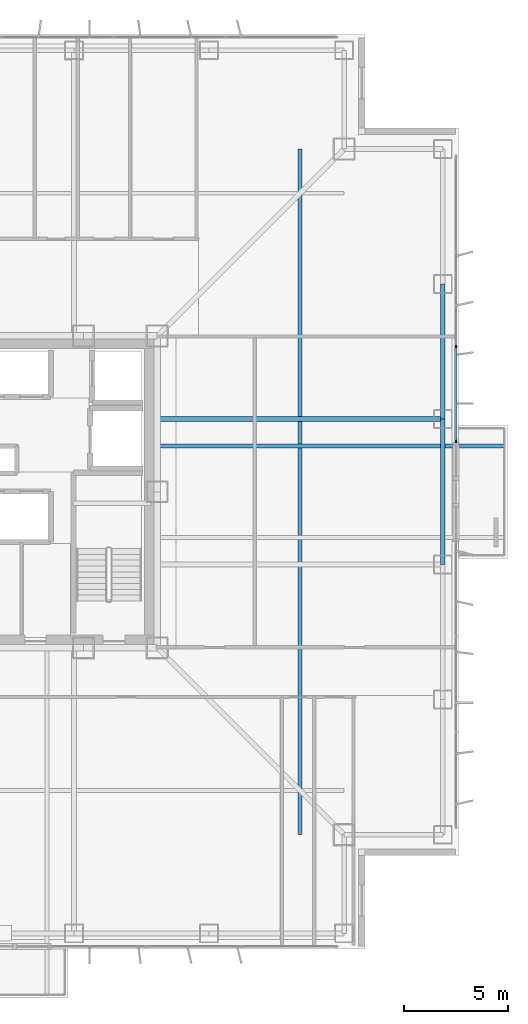
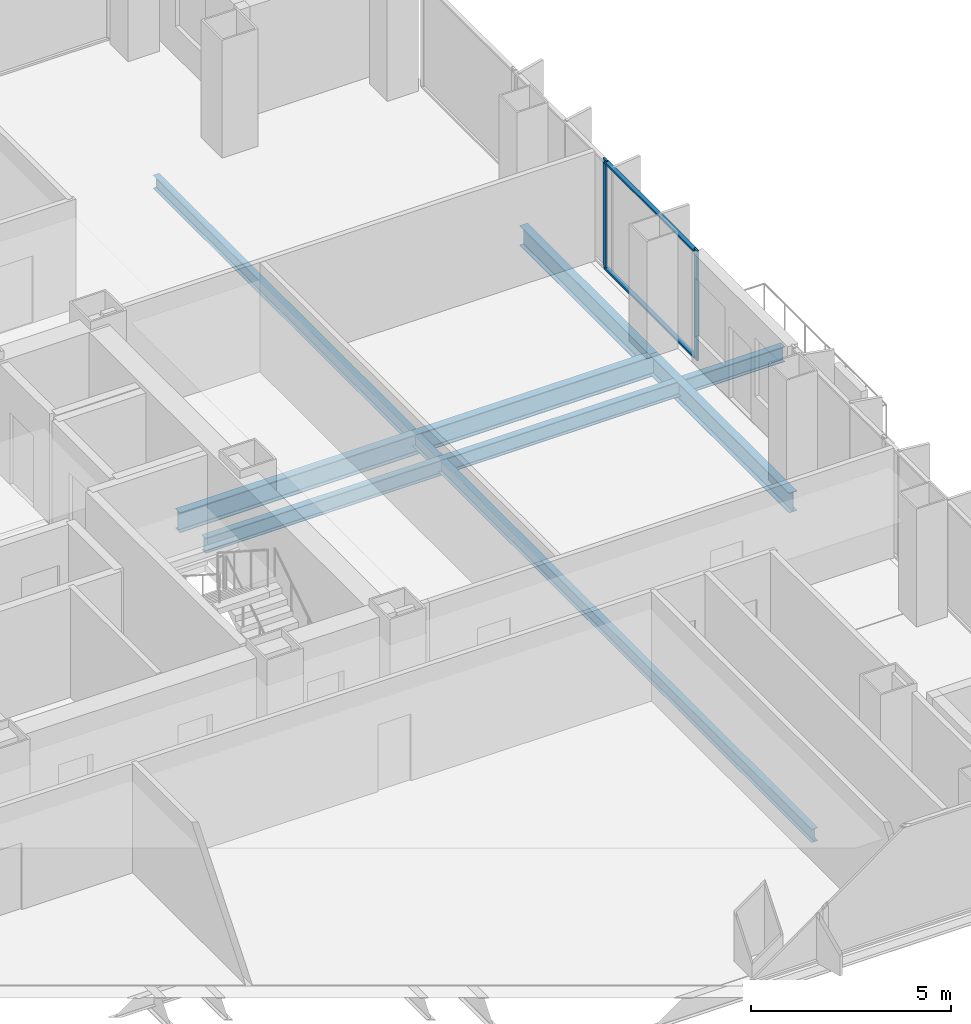
# One storey, part 8 of 18: 5 beams, 4 members, 1 element without a shape of its own.
"""IFC4 building model written with IfcOpenShell, lengths in metres."""

from ifc_helpers import new_model, si_unit, direction, frame, origin, origin_2d, place, context, subcontext, project, spatial, rectangle, i_section, extrude, material, layer, layer_set, material_profile, profile_set, type_object, element, aggregate, save


model = new_model("IFC4")

# Units and contexts
model_context = context("Model", 3, precision=1e-05, world=origin(), true_north=direction((0.0, 1.0)))
body_context = subcontext(model_context, "Body", "Model", "MODEL_VIEW")
ifc_project = project(units=[si_unit("LENGTHUNIT", "METRE"), si_unit("AREAUNIT", "SQUARE_METRE"), si_unit("VOLUMEUNIT", "CUBIC_METRE"), si_unit("PLANEANGLEUNIT", "RADIAN"), si_unit("MASSUNIT", "GRAM", prefix="KILO")], contexts=[model_context])

# Site, building, storey
site_placement = place(None, origin())
site = spatial("IfcSite", under=ifc_project, at=site_placement, CompositionType="ELEMENT")
building_placement = place(site_placement, origin())
building = spatial("IfcBuilding", under=site, at=building_placement, Name="Trevonay Congress Spire", CompositionType="ELEMENT")
storey_placement = place(building_placement, frame((0.0, 0.0, 104.800048828125)))
storey = spatial("IfcBuildingStorey", under=building, at=storey_placement, Name="L26", CompositionType="ELEMENT", Elevation=104.800048828125)

# Beams
ifc_material_1 = material(Name="Steel ASTM A572 Grade 50", Category="steel")
ifc_material_profile_1 = material_profile(ifc_material_1, i_section(OverallWidth=0.194091796875, OverallDepth=0.468994140625, WebThickness=0.011474609375, FlangeThickness=0.01953125, FilletRadius=0.013916015625, at=origin_2d()), Name="W460x106")
ifc_profile_set_1 = profile_set([ifc_material_profile_1], Name="Steel ASTM A572 Grade 50")
beam_type_1 = type_object("IfcBeamType", Name="BM-BAL-LOOKOUT", PredefinedType="BEAM", material=ifc_profile_set_1)
beam_1_placement = place(storey_placement, frame((7.5, 2.199951171875, -0.474609375), z_axis=(1.0, 0.0, 0.0), x_axis=(0.0, 1.0, 0.0)))
element("IfcBeam", 1, at=beam_1_placement, inside=storey, type_object=beam_type_1, Name="L26 structural beam LKT-L26-E2", PredefinedType="BEAM", context=body_context, shape_type="SweptSolid", body=[
    extrude(i_section(OverallWidth=0.194091796875, OverallDepth=0.468994140625, WebThickness=0.011474609375, FlangeThickness=0.01953125, FilletRadius=0.013916015625, at=origin_2d()), origin(), (0.0, 0.0, 1.0), 16.75),
])
ifc_material_profile_2 = material_profile(ifc_material_1, i_section(OverallWidth=0.22998046875, OverallDepth=0.616943359375, WebThickness=0.01318359375, FlangeThickness=0.022216796875, FilletRadius=0.01611328125, at=origin_2d()), Name="W610x140")
ifc_profile_set_2 = profile_set([ifc_material_profile_2], Name="Steel ASTM A572 Grade 50")
beam_type_2 = type_object("IfcBeamType", Name="BM-GIRD-W610X140", PredefinedType="BEAM", material=ifc_profile_set_2)
beam_2_placement = place(storey_placement, frame((7.5, 3.5, -0.548583984375), z_axis=(1.0, 0.0, 0.0), x_axis=(0.0, 1.0, 0.0)))
element("IfcBeam", 2, at=beam_2_placement, inside=storey, type_object=beam_type_2, Name="L26 structural beam BM-L26-GE-P", PredefinedType="BEAM", context=body_context, shape_type="SweptSolid", body=[
    extrude(i_section(OverallWidth=0.22998046875, OverallDepth=0.616943359375, WebThickness=0.01318359375, FlangeThickness=0.022216796875, FilletRadius=0.01611328125, at=origin_2d()), origin(), (0.0, 0.0, 1.0), 13.75),
])
ifc_material_profile_3 = material_profile(ifc_material_1, i_section(OverallWidth=0.22802734375, OverallDepth=0.60791015625, WebThickness=0.01123046875, FlangeThickness=0.017333984375, FilletRadius=0.01611328125, at=origin_2d()), Name="W610x113")
ifc_profile_set_3 = profile_set([ifc_material_profile_3], Name="Steel ASTM A572 Grade 50")
beam_type_3 = type_object("IfcBeamType", Name="BM-RING-W610X113", PredefinedType="BEAM", material=ifc_profile_set_3)
beam_3_placement = place(storey_placement, frame((21.25, -3.5, -0.5439453125), z_axis=(0.0, 1.0, 0.0), x_axis=(-1.0, 0.0, 0.0)))
element("IfcBeam", 3, at=beam_3_placement, inside=storey, type_object=beam_type_3, Name="L26 structural beam BM-L26-PE3", PredefinedType="BEAM", context=body_context, shape_type="SweptSolid", body=[
    extrude(i_section(OverallWidth=0.22802734375, OverallDepth=0.60791015625, WebThickness=0.01123046875, FlangeThickness=0.017333984375, FilletRadius=0.01611328125, at=origin_2d()), origin(), (0.0, 0.0, 1.0), 7.0),
])
beam_4_placement = place(storey_placement, frame((21.25, 3.5, -0.5439453125), z_axis=(0.0, 1.0, 0.0), x_axis=(-1.0, 0.0, 0.0)))
element("IfcBeam", 4, at=beam_4_placement, inside=storey, type_object=beam_type_3, Name="L26 structural beam BM-L26-PE4", PredefinedType="BEAM", context=body_context, shape_type="SweptSolid", body=[
    extrude(i_section(OverallWidth=0.22802734375, OverallDepth=0.60791015625, WebThickness=0.01123046875, FlangeThickness=0.017333984375, FilletRadius=0.01611328125, at=origin_2d()), origin(), (0.0, 0.0, 1.0), 6.5),
])

# Curtain wall, members
ifc_material_2 = material(Name="Pale Anodised Aluminium EN AW-6063-T6", Category="aluminium")
ifc_layer = layer(ifc_material_2, 0.175048828125, Name="Pale Anodised Aluminium EN AW-6063-T6")
ifc_layer_set = layer_set([ifc_layer], Name="Pale Anodised Aluminium EN AW-6063-T6")
curtain_wall_type = type_object("IfcCurtainWallType", Name="CW-SYS03-CONGRESS-PALE-METAL", PredefinedType="NOTDEFINED", material=ifc_layer_set)
curtain_wall_placement = place(storey_placement, origin())
curtain_wall = element("IfcCurtainWall", 5, at=curtain_wall_placement, inside=storey, type_object=curtain_wall_type, Name="L26 EB unitised curtain wall", PredefinedType="NOTDEFINED")
ifc_material_profile_4 = material_profile(ifc_material_2, rectangle(XDim=0.06005859375, YDim=0.159912109375, at=origin_2d()), Name="CW-MULLION-160-ALUMINIUM")
ifc_profile_set_4 = profile_set([ifc_material_profile_4], Name="Pale Anodised Aluminium EN AW-6063-T6")
member_type_1 = type_object("IfcMemberType", Name="CW-MULLION-160-ALUMINIUM", PredefinedType="MULLION", material=ifc_profile_set_4)
member_1_placement = place(storey_placement, frame((21.8798828125, 2.429931640625, 0.0), z_axis=(0.0, 0.0, 1.0), x_axis=(-1.0, 0.0, 0.0)))
member_1 = element("IfcMember", 6, at=member_1_placement, type_object=member_type_1, Name="CW03 mullion 1", PredefinedType="MULLION", context=body_context, shape_type="SweptSolid", body=[
    extrude(rectangle(XDim=0.06005859375, YDim=0.159912109375, at=origin_2d()), origin(), (0.0, 0.0, 1.0), 3.35986328125),
])
member_2_placement = place(storey_placement, frame((21.8798828125, 6.9833984375, 0.0), z_axis=(0.0, 0.0, 1.0), x_axis=(-1.0, 0.0, 0.0)))
member_2 = element("IfcMember", 7, at=member_2_placement, type_object=member_type_1, Name="CW03 mullion 2", PredefinedType="MULLION", context=body_context, shape_type="SweptSolid", body=[
    extrude(rectangle(XDim=0.06005859375, YDim=0.159912109375, at=origin_2d()), origin(), (0.0, 0.0, 1.0), 3.35986328125),
])
ifc_material_profile_5 = material_profile(ifc_material_2, rectangle(XDim=0.1201171875, YDim=0.06005859375, at=origin_2d()), Name="CW-TRANSOM-120-ALUMINIUM")
ifc_profile_set_5 = profile_set([ifc_material_profile_5], Name="Pale Anodised Aluminium EN AW-6063-T6")
member_type_2 = type_object("IfcMemberType", Name="CW-TRANSOM-120-ALUMINIUM", PredefinedType="USERDEFINED", material=ifc_profile_set_5)
member_3_placement = place(storey_placement, frame((21.8798828125, 2.4599609375, 0.06005859375), z_axis=(0.0, 1.0, 0.0), x_axis=(-1.0, 0.0, 0.0)))
member_3 = element("IfcMember", 8, at=member_3_placement, type_object=member_type_2, Name="CW03 transom 1.1", ObjectType="TRANSOM", PredefinedType="USERDEFINED", context=body_context, shape_type="SweptSolid", body=[
    extrude(rectangle(XDim=0.1201171875, YDim=0.06005859375, at=origin_2d()), origin(), (0.0, 0.0, 1.0), 4.493408203125),
])
member_4_placement = place(storey_placement, frame((21.8798828125, 2.4599609375, 3.300048828125), z_axis=(0.0, 1.0, 0.0), x_axis=(-1.0, 0.0, 0.0)))
member_4 = element("IfcMember", 9, at=member_4_placement, type_object=member_type_2, Name="CW03 transom 1.2", ObjectType="TRANSOM", PredefinedType="USERDEFINED", context=body_context, shape_type="SweptSolid", body=[
    extrude(rectangle(XDim=0.1201171875, YDim=0.06005859375, at=origin_2d()), origin(), (0.0, 0.0, 1.0), 4.493408203125),
])
aggregate(curtain_wall, [member_1, member_2, member_3, member_4])

# Beam
ifc_material_profile_6 = material_profile(ifc_material_1, i_section(OverallWidth=0.177978515625, OverallDepth=0.406982421875, WebThickness=0.0078125, FlangeThickness=0.0126953125, FilletRadius=0.012939453125, at=origin_2d()), Name="W410x60")
ifc_profile_set_6 = profile_set([ifc_material_profile_6], Name="Steel ASTM A572 Grade 50")
beam_type_4 = type_object("IfcBeamType", Name="JS-COMP-W410X60", PredefinedType="JOIST", material=ifc_profile_set_6)
beam_5_placement = place(storey_placement, frame((14.375, -16.5, -0.443603515625), z_axis=(0.0, 1.0, 0.0), x_axis=(-1.0, 0.0, 0.0)))
element("IfcBeam", 10, at=beam_5_placement, inside=storey, type_object=beam_type_4, Name="L26 structural beam JS-L26-RING-E", PredefinedType="JOIST", context=body_context, shape_type="SweptSolid", body=[
    extrude(i_section(OverallWidth=0.177978515625, OverallDepth=0.406982421875, WebThickness=0.0078125, FlangeThickness=0.0126953125, FilletRadius=0.012939453125, at=origin_2d()), origin(), (0.0, 0.0, 1.0), 33.0),
])

save(model, "model.ifc")
